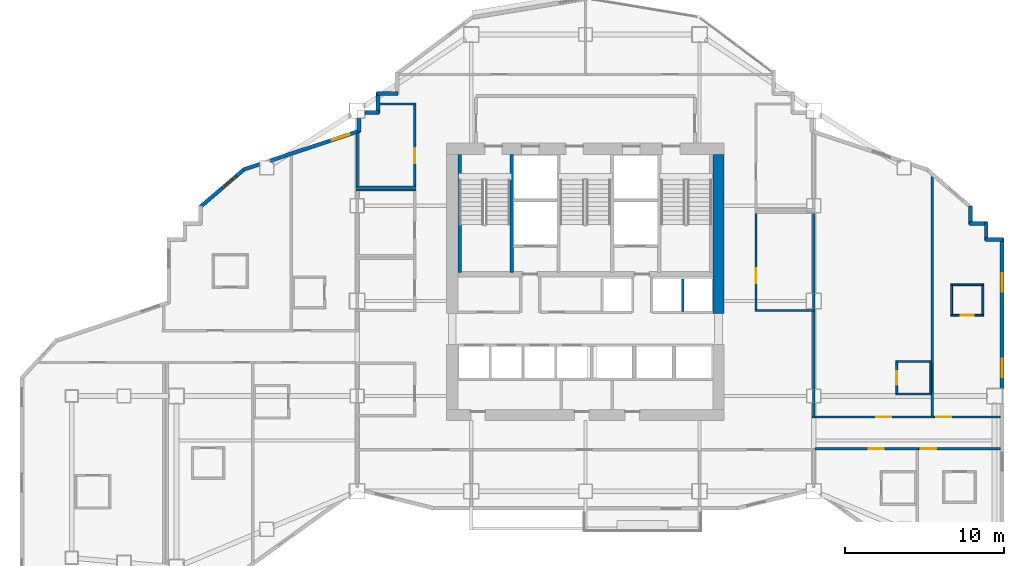
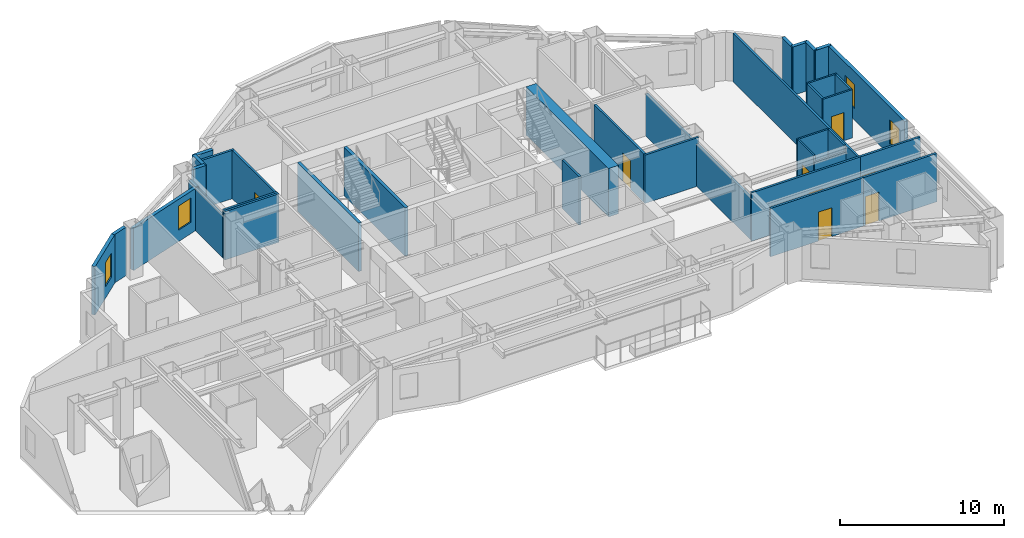
# One storey, part 8 of 13: 38 walls, 8 doors, 4 windows, 12 openings.
"""IFC4 building model written with IfcOpenShell, lengths in metres."""

from ifc_helpers import new_model, si_unit, direction, frame, frame_2d, origin, place, context, subcontext, project, spatial, rectangle, extrude, material, layer, layer_set, type_object, element, fill, save


model = new_model("IFC4")

# Units and contexts
model_context = context("Model", 3, precision=1e-05, world=origin(), true_north=direction((0.0, 1.0)))
body_context = subcontext(model_context, "Body", "Model", "MODEL_VIEW")
ifc_project = project(units=[si_unit("LENGTHUNIT", "METRE"), si_unit("AREAUNIT", "SQUARE_METRE"), si_unit("VOLUMEUNIT", "CUBIC_METRE"), si_unit("PLANEANGLEUNIT", "RADIAN"), si_unit("MASSUNIT", "GRAM", prefix="KILO")], contexts=[model_context])

# Site, building, storey
site_placement = place(None, origin())
site = spatial("IfcSite", under=ifc_project, at=site_placement, CompositionType="ELEMENT")
building_placement = place(site_placement, origin())
building = spatial("IfcBuilding", under=site, at=building_placement, Name="Haolan Belvedere Tower", CompositionType="ELEMENT")
storey_placement = place(building_placement, frame((0.0, 0.0, 106.0)))
storey = spatial("IfcBuildingStorey", under=building, at=storey_placement, Name="L26", CompositionType="ELEMENT", Elevation=106.0)

# Wall
ifc_material_1 = material(Name="Concrete C60/75", Category="concrete")
ifc_layer_1 = layer(ifc_material_1, 0.699951171875, Name="Concrete C60/75")
ifc_layer_set_1 = layer_set([ifc_layer_1], Name="Concrete C60/75")
wall_type_1 = type_object("IfcWallType", Name="WL-CORE-700", PredefinedType="SHEAR", material=ifc_layer_set_1)
wall_1_placement = place(storey_placement, frame((46.800048828125, 32.800048828125, 0.0), z_axis=(0.0, 0.0, 1.0), x_axis=(0.0, 1.0, 0.0)))
element("IfcWall", 1, at=wall_1_placement, inside=storey, type_object=wall_type_1, Name="L26 central core shear wall EN", PredefinedType="SHEAR", context=body_context, shape_type="SweptSolid", body=[
    extrude(rectangle(XDim=10.050048828125, YDim=0.699951171875, at=frame_2d((5.02490234375, 0.0))), origin(), (0.0, 0.0, 1.0), 3.60009765625),
])

# Wall, openings, windows
ifc_material_2 = material(Name="Precast concrete C40/50", Category="concrete")
ifc_layer_2 = layer(ifc_material_2, 0.239990234375, Name="Precast concrete C40/50")
ifc_layer_set_2 = layer_set([ifc_layer_2], Name="Precast concrete C40/50")
wall_type_2 = type_object("IfcWallType", Name="WL-EXT-240", PredefinedType="SOLIDWALL", material=ifc_layer_set_2)
wall_2_placement = place(storey_placement, frame((64.679931640625, 28.092041015625, 0.0), z_axis=(0.0, 0.0, 1.0), x_axis=(0.0, 1.0, 0.0)))
wall_2 = element("IfcWall", 2, at=wall_2_placement, inside=storey, type_object=wall_type_2, Name="L26 pale-metal exterior spandrel wall 14.2", PredefinedType="SOLIDWALL", context=body_context, shape_type="SweptSolid", body=[
    extrude(rectangle(XDim=9.44287109375, YDim=0.239990234375, at=frame_2d((4.721435546875, 0.0))), origin(), (0.0, 0.0, 1.0), 3.60009765625),
])
opening_1_placement = place(wall_2_placement, frame((0.699951171875, 0.0, 0.85009765625)))
opening_1 = element("IfcOpeningElement", 3, at=opening_1_placement, cuts=wall_2, Name="Opening W-02", PredefinedType="OPENING", context=body_context, shape_type="SweptSolid", body=[
    extrude(rectangle(XDim=1.14990234375, YDim=1.800048828125, at=frame_2d((0.574951171875, 0.89990234375))), frame((0.0, 0.1298828125, 0.0), z_axis=(0.0, -1.0, 0.0), x_axis=(1.0, 0.0, 0.0)), (0.0, 0.0, 1.0), 0.260009765625),
])
opening_2_placement = place(wall_2_placement, frame((6.10009765625, 0.0, 0.85009765625)))
opening_2 = element("IfcOpeningElement", 4, at=opening_2_placement, cuts=wall_2, Name="Opening W-02", PredefinedType="OPENING", context=body_context, shape_type="SweptSolid", body=[
    extrude(rectangle(XDim=1.14990234375, YDim=1.800048828125, at=frame_2d((0.574951171875, 0.89990234375))), frame((0.0, 0.1298828125, 0.0), z_axis=(0.0, -1.0, 0.0), x_axis=(1.0, 0.0, 0.0)), (0.0, 0.0, 1.0), 0.260009765625),
])
ifc_material_3 = material(Name="Anodised aluminium 6063-T6 and Low-E glass", Category="aluminium")
window_type = type_object("IfcWindowType", Name="WN-DECO-Z2", PartitioningType="SINGLE_PANEL", PredefinedType="WINDOW", material=ifc_material_3)
window_1_placement = place(opening_1_placement, origin())
window_1 = element("IfcWindow", 5, at=window_1_placement, inside=storey, type_object=window_type, Name="L26 Art Deco chevron window 1", OverallHeight=1.800048828125, OverallWidth=1.14990234375, PartitioningType="SINGLE_PANEL", PredefinedType="WINDOW", context=body_context, shape_type="SweptSolid", body=[
    extrude(rectangle(XDim=1.14990234375, YDim=1.800048828125, at=frame_2d((0.574951171875, 0.89990234375))), frame((0.0, 0.030029296875, 0.0), z_axis=(0.0, -1.0, 0.0), x_axis=(1.0, 0.0, 0.0)), (0.0, 0.0, 1.0), 0.06005859375),
])
fill(opening_1, window_1)
window_2_placement = place(opening_2_placement, origin())
window_2 = element("IfcWindow", 6, at=window_2_placement, inside=storey, type_object=window_type, Name="L26 Art Deco chevron window 2", OverallHeight=1.800048828125, OverallWidth=1.14990234375, PartitioningType="SINGLE_PANEL", PredefinedType="WINDOW", context=body_context, shape_type="SweptSolid", body=[
    extrude(rectangle(XDim=1.14990234375, YDim=1.800048828125, at=frame_2d((0.574951171875, 0.89990234375))), frame((0.0, 0.030029296875, 0.0), z_axis=(0.0, -1.0, 0.0), x_axis=(1.0, 0.0, 0.0)), (0.0, 0.0, 1.0), 0.06005859375),
])
fill(opening_2, window_2)

# Walls
wall_3_placement = place(storey_placement, frame((64.735107421875, 37.47998046875, 0.0), z_axis=(0.0, 0.0, 1.0), x_axis=(-1.0, 0.0, 0.0)))
element("IfcWall", 7, at=wall_3_placement, inside=storey, type_object=wall_type_2, Name="L26 pale-metal exterior spandrel wall 15.1", PredefinedType="SOLIDWALL", context=body_context, shape_type="SweptSolid", body=[
    extrude(rectangle(XDim=1.110107421875, YDim=0.239990234375, at=frame_2d((0.55517578125, 0.0))), origin(), (0.0, 0.0, 1.0), 3.60009765625),
])
wall_4_placement = place(storey_placement, frame((63.679931640625, 37.425048828125, 0.0), z_axis=(0.0, 0.0, 1.0), x_axis=(0.0, 1.0, 0.0)))
element("IfcWall", 8, at=wall_4_placement, inside=storey, type_object=wall_type_2, Name="L26 pale-metal exterior spandrel wall 16.1", PredefinedType="SOLIDWALL", context=body_context, shape_type="SweptSolid", body=[
    extrude(rectangle(XDim=1.10986328125, YDim=0.239990234375, at=frame_2d((0.554931640625, 0.0))), origin(), (0.0, 0.0, 1.0), 3.60009765625),
])
wall_5_placement = place(storey_placement, frame((63.735107421875, 38.47998046875, 0.0), z_axis=(0.0, 0.0, 1.0), x_axis=(-1.0, 0.0, 0.0)))
element("IfcWall", 9, at=wall_5_placement, inside=storey, type_object=wall_type_2, Name="L26 pale-metal exterior spandrel wall 17.1", PredefinedType="SOLIDWALL", context=body_context, shape_type="SweptSolid", body=[
    extrude(rectangle(XDim=1.110107421875, YDim=0.239990234375, at=frame_2d((0.55517578125, 0.0))), origin(), (0.0, 0.0, 1.0), 3.60009765625),
])
wall_6_placement = place(storey_placement, frame((62.679931640625, 38.425048828125, 0.0), z_axis=(0.0, 0.0, 1.0), x_axis=(0.0, 1.0, 0.0)))
element("IfcWall", 10, at=wall_6_placement, inside=storey, type_object=wall_type_2, Name="L26 pale-metal exterior spandrel wall 18.1", PredefinedType="SOLIDWALL", context=body_context, shape_type="SweptSolid", body=[
    extrude(rectangle(XDim=1.1748046875, YDim=0.239990234375, at=frame_2d((0.58740234375, 0.0))), origin(), (0.0, 0.0, 1.0), 3.60009765625),
])
for number, where, z_axis, x_axis, name in (
    (11, (26.574951171875, 46.679931640625, 0.0), (0.0, 0.0, 1.0), (-1.0, 0.0, 0.0), "L26 pale-metal exterior spandrel wall 31.1"),
    (12, (25.320068359375, 46.735107421875, 0.0), (0.0, 0.0, 1.0), (0.0, -1.0, 0.0), "L26 pale-metal exterior spandrel wall 32.1"),
):
    element("IfcWall", number, at=place(storey_placement, frame(where, z_axis=z_axis, x_axis=x_axis)), inside=storey, type_object=wall_type_2, Name=name, PredefinedType="SOLIDWALL", context=body_context, shape_type="SweptSolid", body=[
        extrude(rectangle(XDim=1.31005859375, YDim=0.239990234375, at=frame_2d((0.655029296875, 0.0))), origin(), (0.0, 0.0, 1.0), 3.60009765625),
    ])
wall_7_placement = place(storey_placement, frame((25.375, 45.47998046875, 0.0), z_axis=(0.0, 0.0, 1.0), x_axis=(-1.0, 0.0, 0.0)))
element("IfcWall", 13, at=wall_7_placement, inside=storey, type_object=wall_type_2, Name="L26 pale-metal exterior spandrel wall 33.1", PredefinedType="SOLIDWALL", context=body_context, shape_type="SweptSolid", body=[
    extrude(rectangle(XDim=0.883056640625, YDim=0.239990234375, at=frame_2d((0.44140625, 0.0))), origin(), (0.0, 0.0, 1.0), 3.60009765625),
])
wall_8_placement = place(storey_placement, frame((24.1201171875, 45.10791015625, 0.0), z_axis=(0.0, 0.0, 1.0), x_axis=(0.0, -1.0, 0.0)))
element("IfcWall", 14, at=wall_8_placement, inside=storey, type_object=wall_type_2, Name="L26 pale-metal exterior spandrel wall 34.1", PredefinedType="SOLIDWALL", context=body_context, shape_type="SweptSolid", body=[
    extrude(rectangle(XDim=0.849365234375, YDim=0.239990234375, at=frame_2d((0.4248046875, 0.0))), origin(), (0.0, 0.0, 1.0), 3.14501953125),
])

# Wall, opening, window
wall_9_placement = place(storey_placement, frame((24.172119140625, 44.330810546875, 0.0), z_axis=(0.0, 0.0, 1.0), x_axis=(-0.948683298051, -0.316227766017, 0.0)))
wall_9 = element("IfcWall", 15, at=wall_9_placement, inside=storey, type_object=wall_type_2, Name="L26 pale-metal exterior spandrel wall 35.1", PredefinedType="SOLIDWALL", context=body_context, shape_type="SweptSolid", body=[
    extrude(rectangle(XDim=5.973388671875, YDim=0.239990234375, at=frame_2d((2.98681640625, 0.0))), origin(), (0.0, 0.0, 1.0), 3.14501953125),
])
opening_3_placement = place(wall_9_placement, frame((0.699951171875, 0.0, 0.85009765625)))
opening_3 = element("IfcOpeningElement", 16, at=opening_3_placement, cuts=wall_9, Name="Opening W-02", PredefinedType="OPENING", context=body_context, shape_type="SweptSolid", body=[
    extrude(rectangle(XDim=1.14990234375, YDim=1.800048828125, at=frame_2d((0.574951171875, 0.89990234375))), frame((0.0, 0.1298828125, 0.0), z_axis=(0.0, -1.0, 0.0), x_axis=(1.0, 0.0, 0.0)), (0.0, 0.0, 1.0), 0.260009765625),
])
window_3_placement = place(opening_3_placement, origin())
window_3 = element("IfcWindow", 17, at=window_3_placement, inside=storey, type_object=window_type, Name="L26 Art Deco chevron window 1", OverallHeight=1.800048828125, OverallWidth=1.14990234375, PartitioningType="SINGLE_PANEL", PredefinedType="WINDOW", context=body_context, shape_type="SweptSolid", body=[
    extrude(rectangle(XDim=1.14990234375, YDim=1.800048828125, at=frame_2d((0.574951171875, 0.89990234375))), frame((0.0, 0.030029296875, 0.0), z_axis=(0.0, -1.0, 0.0), x_axis=(1.0, 0.0, 0.0)), (0.0, 0.0, 1.0), 0.06005859375),
])
fill(opening_3, window_3)

# Wall
wall_10_placement = place(storey_placement, frame((17.85791015625, 42.226318359375, 0.0), z_axis=(0.0, 0.0, 1.0), x_axis=(-0.948639166064, -0.316360131194, 0.0)))
element("IfcWall", 18, at=wall_10_placement, inside=storey, type_object=wall_type_2, Name="L26 pale-metal exterior spandrel wall 35.2", PredefinedType="SOLIDWALL", context=body_context, shape_type="SweptSolid", body=[
    extrude(rectangle(XDim=1.106689453125, YDim=0.239990234375, at=frame_2d((0.55322265625, 0.0))), origin(), (0.0, 0.0, 1.0), 3.60009765625),
])

# Wall, opening, window
wall_11_placement = place(storey_placement, frame((16.902099609375, 41.929443359375, 0.0), z_axis=(0.0, 0.0, 1.0), x_axis=(-0.759275136126, -0.650769750112, 0.0)))
wall_11 = element("IfcWall", 19, at=wall_11_placement, inside=storey, type_object=wall_type_2, Name="L26 pale-metal exterior spandrel wall 36.1", PredefinedType="SOLIDWALL", context=body_context, shape_type="SweptSolid", body=[
    extrude(rectangle(XDim=3.71923828125, YDim=0.239990234375, at=frame_2d((1.859619140625, 0.0))), origin(), (0.0, 0.0, 1.0), 3.60009765625),
])
opening_4_placement = place(wall_11_placement, frame((0.699951171875, 0.0, 0.85009765625)))
opening_4 = element("IfcOpeningElement", 20, at=opening_4_placement, cuts=wall_11, Name="Opening W-02", PredefinedType="OPENING", context=body_context, shape_type="SweptSolid", body=[
    extrude(rectangle(XDim=1.14990234375, YDim=1.800048828125, at=frame_2d((0.574951171875, 0.89990234375))), frame((0.0, 0.1298828125, 0.0), z_axis=(0.0, -1.0, 0.0), x_axis=(1.0, 0.0, 0.0)), (0.0, 0.0, 1.0), 0.260009765625),
])
window_4_placement = place(opening_4_placement, origin())
window_4 = element("IfcWindow", 21, at=window_4_placement, inside=storey, type_object=window_type, Name="L26 Art Deco chevron window 1", OverallHeight=1.800048828125, OverallWidth=1.14990234375, PartitioningType="SINGLE_PANEL", PredefinedType="WINDOW", context=body_context, shape_type="SweptSolid", body=[
    extrude(rectangle(XDim=1.14990234375, YDim=1.800048828125, at=frame_2d((0.574951171875, 0.89990234375))), frame((0.0, 0.030029296875, 0.0), z_axis=(0.0, -1.0, 0.0), x_axis=(1.0, 0.0, 0.0)), (0.0, 0.0, 1.0), 0.06005859375),
])
fill(opening_4, window_4)

# Walls
ifc_material_4 = material(Name="Double gypsum acoustic stud partition", Category="masonry")
ifc_layer_3 = layer(ifc_material_4, 0.14990234375, Name="Double gypsum acoustic stud partition")
ifc_layer_set_3 = layer_set([ifc_layer_3], Name="Double gypsum acoustic stud partition")
wall_type_3 = type_object("IfcWallType", Name="WL-PART-150", PredefinedType="PARTITIONING", material=ifc_layer_set_3)
wall_12_placement = place(storey_placement, frame((23.919921875, 40.60009765625, 0.0), z_axis=(0.0, 0.0, 1.0), x_axis=(1.0, 0.0, 0.0)))
element("IfcWall", 22, at=wall_12_placement, inside=storey, type_object=wall_type_3, Name="L26 interior partition IW-L26-PNT-N", PredefinedType="PARTITIONING", context=body_context, shape_type="SweptSolid", body=[
    extrude(rectangle(XDim=3.800048828125, YDim=0.14990234375, at=frame_2d((1.89990234375, 0.0))), origin(), (0.0, 0.0, 1.0), 3.60009765625),
])
wall_13_placement = place(storey_placement, frame((25.425048828125, 46.02001953125, 0.0), z_axis=(0.0, 0.0, 1.0), x_axis=(1.0, 0.0, 0.0)))
element("IfcWall", 23, at=wall_13_placement, inside=storey, type_object=wall_type_3, Name="L26 interior partition IW-L26-STY-N", PredefinedType="PARTITIONING", context=body_context, shape_type="SweptSolid", body=[
    extrude(rectangle(XDim=2.294921875, YDim=0.14990234375, at=frame_2d((1.1474609375, 0.0))), origin(), (0.0, 0.0, 1.0), 3.60009765625),
])
wall_14_placement = place(storey_placement, frame((23.919921875, 40.760009765625, 0.0), z_axis=(0.0, 0.0, 1.0), x_axis=(1.0, 0.0, 0.0)))
element("IfcWall", 24, at=wall_14_placement, inside=storey, type_object=wall_type_3, Name="L26 interior partition IW-L26-STY-S", PredefinedType="PARTITIONING", context=body_context, shape_type="SweptSolid", body=[
    extrude(rectangle(XDim=3.800048828125, YDim=0.14990234375, at=frame_2d((1.89990234375, 0.0))), origin(), (0.0, 0.0, 1.0), 3.60009765625),
])
wall_15_placement = place(storey_placement, frame((24.0, 40.820068359375, 0.0), z_axis=(0.0, 0.0, 1.0), x_axis=(0.0, 1.0, 0.0)))
element("IfcWall", 25, at=wall_15_placement, inside=storey, type_object=wall_type_3, Name="L26 interior partition IW-L26-STY-W", PredefinedType="PARTITIONING", context=body_context, shape_type="SweptSolid", body=[
    extrude(rectangle(XDim=3.3427734375, YDim=0.14990234375, at=frame_2d((1.67138671875, 0.0))), origin(), (0.0, 0.0, 1.0), 3.14501953125),
])

# Wall, opening, door
wall_16_placement = place(storey_placement, frame((27.639892578125, 40.820068359375, 0.0), z_axis=(0.0, 0.0, 1.0), x_axis=(0.0, 1.0, 0.0)))
wall_16 = element("IfcWall", 26, at=wall_16_placement, inside=storey, type_object=wall_type_3, Name="L26 interior partition IW-L26-STY-E", PredefinedType="PARTITIONING", context=body_context, shape_type="SweptSolid", body=[
    extrude(rectangle(XDim=5.139892578125, YDim=0.14990234375, at=frame_2d((2.56982421875, 0.0))), origin(), (0.0, 0.0, 1.0), 3.60009765625),
])
opening_5_placement = place(wall_16_placement, frame((2.409912109375, 0.0, 0.0), z_axis=(0.0, 0.0, 1.0), x_axis=(-1.0, 0.0, 0.0)))
opening_5 = element("IfcOpeningElement", 27, at=opening_5_placement, cuts=wall_16, Name="Opening ID-03", PredefinedType="OPENING", context=body_context, shape_type="SweptSolid", body=[
    extrude(rectangle(XDim=0.949951171875, YDim=2.1201171875, at=frame_2d((0.47509765625, 1.06005859375))), frame((0.0, 0.0849609375, 0.0), z_axis=(0.0, -1.0, 0.0), x_axis=(1.0, 0.0, 0.0)), (0.0, 0.0, 1.0), 0.169921875),
])
ifc_material_5 = material(Name="Painted solid-core timber", Category="wood")
door_type_1 = type_object("IfcDoorType", Name="DR-INT-950", OperationType="NOTDEFINED", PredefinedType="DOOR", material=ifc_material_5)
door_1_placement = place(opening_5_placement, origin())
door_1 = element("IfcDoor", 28, at=door_1_placement, inside=storey, type_object=door_type_1, Name="L26 door ID-L26-STY", OperationType="SINGLE_SWING_LEFT", OverallHeight=2.1201171875, OverallWidth=0.949951171875, PredefinedType="DOOR", context=body_context, shape_type="SweptSolid", body=[
    extrude(rectangle(XDim=0.949951171875, YDim=2.1201171875, at=frame_2d((0.47509765625, 1.06005859375))), frame((0.0, 0.02490234375, 0.0), z_axis=(0.0, -1.0, 0.0), x_axis=(1.0, 0.0, 0.0)), (0.0, 0.0, 1.0), 0.050048828125),
])
fill(opening_5, door_1)

# Wall
wall_17_placement = place(storey_placement, frame((49.080078125, 33.0, 0.0), z_axis=(0.0, 0.0, 1.0), x_axis=(1.0, 0.0, 0.0)))
element("IfcWall", 29, at=wall_17_placement, inside=storey, type_object=wall_type_3, Name="L26 interior partition IW-L26-HSK-S", PredefinedType="PARTITIONING", context=body_context, shape_type="SweptSolid", body=[
    extrude(rectangle(XDim=3.7998046875, YDim=0.14990234375, at=frame_2d((1.89990234375, 0.0))), origin(), (0.0, 0.0, 1.0), 3.60009765625),
])

# Wall, opening, door
wall_18_placement = place(storey_placement, frame((49.159912109375, 33.06005859375, 0.0), z_axis=(0.0, 0.0, 1.0), x_axis=(0.0, 1.0, 0.0)))
wall_18 = element("IfcWall", 30, at=wall_18_placement, inside=storey, type_object=wall_type_3, Name="L26 interior partition IW-L26-HSK-W", PredefinedType="PARTITIONING", context=body_context, shape_type="SweptSolid", body=[
    extrude(rectangle(XDim=6.079833984375, YDim=0.14990234375, at=frame_2d((3.0400390625, 0.0))), origin(), (0.0, 0.0, 1.0), 3.60009765625),
])
opening_6_placement = place(wall_18_placement, frame((1.659912109375, 0.0, 0.0)))
opening_6 = element("IfcOpeningElement", 31, at=opening_6_placement, cuts=wall_18, Name="Opening ID-03", PredefinedType="OPENING", context=body_context, shape_type="SweptSolid", body=[
    extrude(rectangle(XDim=0.949951171875, YDim=2.1201171875, at=frame_2d((0.47509765625, 1.06005859375))), frame((0.0, 0.0849609375, 0.0), z_axis=(0.0, -1.0, 0.0), x_axis=(1.0, 0.0, 0.0)), (0.0, 0.0, 1.0), 0.169921875),
])
door_2_placement = place(opening_6_placement, origin())
door_2 = element("IfcDoor", 32, at=door_2_placement, inside=storey, type_object=door_type_1, Name="L26 door ID-L26-HSK", OperationType="SINGLE_SWING_RIGHT", OverallHeight=2.1201171875, OverallWidth=0.949951171875, PredefinedType="DOOR", context=body_context, shape_type="SweptSolid", body=[
    extrude(rectangle(XDim=0.949951171875, YDim=2.1201171875, at=frame_2d((0.47509765625, 1.06005859375))), frame((0.0, 0.02490234375, 0.0), z_axis=(0.0, -1.0, 0.0), x_axis=(1.0, 0.0, 0.0)), (0.0, 0.0, 1.0), 0.050048828125),
])
fill(opening_6, door_2)

# Wall
wall_19_placement = place(storey_placement, frame((52.800048828125, 33.06005859375, 0.0), z_axis=(0.0, 0.0, 1.0), x_axis=(0.0, 1.0, 0.0)))
element("IfcWall", 33, at=wall_19_placement, inside=storey, type_object=wall_type_3, Name="L26 interior partition IW-L26-HSK-E", PredefinedType="PARTITIONING", context=body_context, shape_type="SweptSolid", body=[
    extrude(rectangle(XDim=6.079833984375, YDim=0.14990234375, at=frame_2d((3.0400390625, 0.0))), origin(), (0.0, 0.0, 1.0), 3.14501953125),
])

# Wall, opening, door
wall_20_placement = place(storey_placement, frame((52.699951171875, 26.280029296875, 0.0), z_axis=(0.0, 0.0, 1.0), x_axis=(1.0, 0.0, 0.0)))
wall_20 = element("IfcWall", 34, at=wall_20_placement, inside=storey, type_object=wall_type_3, Name="L26 interior partition IW-L26-T4N1-S", PredefinedType="PARTITIONING", context=body_context, shape_type="SweptSolid", body=[
    extrude(rectangle(XDim=7.679931640625, YDim=0.14990234375, at=frame_2d((3.83984375, 0.0))), origin(), (0.0, 0.0, 1.0), 3.60009765625),
])
opening_7_placement = place(wall_20_placement, frame((4.047607421875, 0.0, 0.0)))
opening_7 = element("IfcOpeningElement", 35, at=opening_7_placement, cuts=wall_20, Name="Opening ID-01", PredefinedType="OPENING", context=body_context, shape_type="SweptSolid", body=[
    extrude(rectangle(XDim=0.949951171875, YDim=2.179931640625, at=frame_2d((0.47509765625, 1.08984375))), frame((0.0, 0.0849609375, 0.0), z_axis=(0.0, -1.0, 0.0), x_axis=(1.0, 0.0, 0.0)), (0.0, 0.0, 1.0), 0.169921875),
])
ifc_material_6 = material(Name="Acoustic walnut veneer fire-rated timber", Category="wood")
door_type_2 = type_object("IfcDoorType", Name="DR-SUITE-950", OperationType="NOTDEFINED", PredefinedType="DOOR", material=ifc_material_6)
door_3_placement = place(opening_7_placement, origin())
door_3 = element("IfcDoor", 36, at=door_3_placement, inside=storey, type_object=door_type_2, Name="L26 door ID-L26-T4N1-ENT", OperationType="SINGLE_SWING_LEFT", OverallHeight=2.179931640625, OverallWidth=0.949951171875, PredefinedType="DOOR", context=body_context, shape_type="SweptSolid", body=[
    extrude(rectangle(XDim=0.949951171875, YDim=2.179931640625, at=frame_2d((0.47509765625, 1.08984375))), frame((0.0, 0.02490234375, 0.0), z_axis=(0.0, -1.0, 0.0), x_axis=(1.0, 0.0, 0.0)), (0.0, 0.0, 1.0), 0.050048828125),
])
fill(opening_7, door_3)

# Walls
wall_21_placement = place(storey_placement, frame((52.800048828125, 26.340087890625, 0.0), z_axis=(0.0, 0.0, 1.0), x_axis=(0.0, 1.0, 0.0)))
element("IfcWall", 37, at=wall_21_placement, inside=storey, type_object=wall_type_3, Name="L26 interior partition IW-L26-T4N1-W", PredefinedType="PARTITIONING", context=body_context, shape_type="SweptSolid", body=[
    extrude(rectangle(XDim=6.599853515625, YDim=0.14990234375, at=frame_2d((3.2998046875, 0.0))), origin(), (0.0, 0.0, 1.0), 3.14501953125),
])
wall_22_placement = place(storey_placement, frame((60.280029296875, 26.340087890625, 0.0), z_axis=(0.0, 0.0, 1.0), x_axis=(0.0, 1.0, 0.0)))
element("IfcWall", 38, at=wall_22_placement, inside=storey, type_object=wall_type_3, Name="L26 interior partition IW-L26-T4N1-E", PredefinedType="PARTITIONING", context=body_context, shape_type="SweptSolid", body=[
    extrude(rectangle(XDim=15.12353515625, YDim=0.14990234375, at=frame_2d((7.561767578125, 0.0))), origin(), (0.0, 0.0, 1.0), 3.60009765625),
])

# Wall, opening, door
wall_23_placement = place(storey_placement, frame((60.382080078125, 26.280029296875, 0.0), z_axis=(0.0, 0.0, 1.0), x_axis=(1.0, 0.0, 0.0)))
wall_23 = element("IfcWall", 39, at=wall_23_placement, inside=storey, type_object=wall_type_3, Name="L26 interior partition IW-L26-T4N2-S", PredefinedType="PARTITIONING", context=body_context, shape_type="SweptSolid", body=[
    extrude(rectangle(XDim=4.19287109375, YDim=0.14990234375, at=frame_2d((2.096435546875, 0.0))), origin(), (0.0, 0.0, 1.0), 3.60009765625),
])
opening_8_placement = place(wall_23_placement, frame((0.139892578125, 0.0, 0.0)))
opening_8 = element("IfcOpeningElement", 40, at=opening_8_placement, cuts=wall_23, Name="Opening ID-02", PredefinedType="OPENING", context=body_context, shape_type="SweptSolid", body=[
    extrude(rectangle(XDim=0.949951171875, YDim=2.14990234375, at=frame_2d((0.47509765625, 1.074951171875))), frame((0.0, 0.0849609375, 0.0), z_axis=(0.0, -1.0, 0.0), x_axis=(1.0, 0.0, 0.0)), (0.0, 0.0, 1.0), 0.169921875),
])
ifc_material_7 = material(Name="Acoustic oak veneer fire-rated timber", Category="wood")
door_type_3 = type_object("IfcDoorType", Name="DR-GUEST-950", OperationType="NOTDEFINED", PredefinedType="DOOR", material=ifc_material_7)
door_4_placement = place(opening_8_placement, origin())
door_4 = element("IfcDoor", 41, at=door_4_placement, inside=storey, type_object=door_type_3, Name="L26 door ID-L26-T4N2-ENT", OperationType="SINGLE_SWING_RIGHT", OverallHeight=2.14990234375, OverallWidth=0.949951171875, PredefinedType="DOOR", context=body_context, shape_type="SweptSolid", body=[
    extrude(rectangle(XDim=0.949951171875, YDim=2.14990234375, at=frame_2d((0.47509765625, 1.074951171875))), frame((0.0, 0.02490234375, 0.0), z_axis=(0.0, -1.0, 0.0), x_axis=(1.0, 0.0, 0.0)), (0.0, 0.0, 1.0), 0.050048828125),
])
fill(opening_8, door_4)

wall_24_placement = place(storey_placement, frame((52.882080078125, 24.27001953125, 0.0), z_axis=(0.0, 0.0, 1.0), x_axis=(1.0, 0.0, 0.0)))
wall_24 = element("IfcWall", 42, at=wall_24_placement, inside=storey, type_object=wall_type_3, Name="L26 interior partition IW-L26-T4S1-N", PredefinedType="PARTITIONING", context=body_context, shape_type="SweptSolid", body=[
    extrude(rectangle(XDim=6.537841796875, YDim=0.14990234375, at=frame_2d((3.26904296875, 0.0))), origin(), (0.0, 0.0, 1.0), 3.60009765625),
])
opening_9_placement = place(wall_24_placement, frame((4.3291015625, 0.0, 0.0), z_axis=(0.0, 0.0, 1.0), x_axis=(-1.0, 0.0, 0.0)))
opening_9 = element("IfcOpeningElement", 43, at=opening_9_placement, cuts=wall_24, Name="Opening ID-02", PredefinedType="OPENING", context=body_context, shape_type="SweptSolid", body=[
    extrude(rectangle(XDim=0.949951171875, YDim=2.14990234375, at=frame_2d((0.47509765625, 1.074951171875))), frame((0.0, 0.0849609375, 0.0), z_axis=(0.0, -1.0, 0.0), x_axis=(1.0, 0.0, 0.0)), (0.0, 0.0, 1.0), 0.169921875),
])
door_5_placement = place(opening_9_placement, origin())
door_5 = element("IfcDoor", 44, at=door_5_placement, inside=storey, type_object=door_type_3, Name="L26 door ID-L26-T4S1-ENT", OperationType="SINGLE_SWING_LEFT", OverallHeight=2.14990234375, OverallWidth=0.949951171875, PredefinedType="DOOR", context=body_context, shape_type="SweptSolid", body=[
    extrude(rectangle(XDim=0.949951171875, YDim=2.14990234375, at=frame_2d((0.47509765625, 1.074951171875))), frame((0.0, 0.02490234375, 0.0), z_axis=(0.0, -1.0, 0.0), x_axis=(1.0, 0.0, 0.0)), (0.0, 0.0, 1.0), 0.050048828125),
])
fill(opening_9, door_5)

wall_25_placement = place(storey_placement, frame((59.422119140625, 24.27001953125, 0.0), z_axis=(0.0, 0.0, 1.0), x_axis=(1.0, 0.0, 0.0)))
wall_25 = element("IfcWall", 45, at=wall_25_placement, inside=storey, type_object=wall_type_3, Name="L26 interior partition IW-L26-T4S2-N", PredefinedType="PARTITIONING", context=body_context, shape_type="SweptSolid", body=[
    extrude(rectangle(XDim=5.15283203125, YDim=0.14990234375, at=frame_2d((2.576416015625, 0.0))), origin(), (0.0, 0.0, 1.0), 3.60009765625),
])
opening_10_placement = place(wall_25_placement, frame((1.08984375, 0.0, 0.0), z_axis=(0.0, 0.0, 1.0), x_axis=(-1.0, 0.0, 0.0)))
opening_10 = element("IfcOpeningElement", 46, at=opening_10_placement, cuts=wall_25, Name="Opening ID-02", PredefinedType="OPENING", context=body_context, shape_type="SweptSolid", body=[
    extrude(rectangle(XDim=0.949951171875, YDim=2.14990234375, at=frame_2d((0.47509765625, 1.074951171875))), frame((0.0, 0.0849609375, 0.0), z_axis=(0.0, -1.0, 0.0), x_axis=(1.0, 0.0, 0.0)), (0.0, 0.0, 1.0), 0.169921875),
])
door_6_placement = place(opening_10_placement, origin())
door_6 = element("IfcDoor", 47, at=door_6_placement, inside=storey, type_object=door_type_3, Name="L26 door ID-L26-T4S2-ENT", OperationType="SINGLE_SWING_RIGHT", OverallHeight=2.14990234375, OverallWidth=0.949951171875, PredefinedType="DOOR", context=body_context, shape_type="SweptSolid", body=[
    extrude(rectangle(XDim=0.949951171875, YDim=2.14990234375, at=frame_2d((0.47509765625, 1.074951171875))), frame((0.0, 0.02490234375, 0.0), z_axis=(0.0, -1.0, 0.0), x_axis=(1.0, 0.0, 0.0)), (0.0, 0.0, 1.0), 0.050048828125),
])
fill(opening_10, door_6)

# Walls
ifc_material_8 = material(Name="Gypsum fire shaftwall assembly", Category="masonry")
ifc_layer_4 = layer(ifc_material_8, 0.1650390625, Name="Gypsum fire shaftwall assembly")
ifc_layer_set_4 = layer_set([ifc_layer_4], Name="Gypsum fire shaftwall assembly")
wall_type_4 = type_object("IfcWallType", Name="WL-SHAFT-160", PredefinedType="SOLIDWALL", material=ifc_layer_set_4)
wall_26_placement = place(storey_placement, frame((44.530029296875, 32.949951171875, 0.0), z_axis=(0.0, 0.0, 1.0), x_axis=(0.0, 1.0, 0.0)))
element("IfcWall", 48, at=wall_26_placement, inside=storey, type_object=wall_type_4, Name="L26 interior partition IW-L26-DIV-PH2", PredefinedType="SOLIDWALL", context=body_context, shape_type="SweptSolid", body=[
    extrude(rectangle(XDim=2.050048828125, YDim=0.14990234375, at=frame_2d((1.02490234375, 0.0))), origin(), (0.0, 0.0, 1.0), 3.60009765625),
])
ifc_material_9 = material(Name="Concrete C50/60", Category="concrete")
ifc_layer_5 = layer(ifc_material_9, 0.219970703125, Name="Concrete C50/60")
ifc_layer_set_5 = layer_set([ifc_layer_5], Name="Concrete C50/60")
wall_type_5 = type_object("IfcWallType", Name="WL-STAIR-220", PredefinedType="SHEAR", material=ifc_layer_set_5)
for number, where, z_axis, x_axis, name in (
    (49, (30.4619140625, 35.389892578125, 0.0), (0.0, 0.0, 1.0), (0.0, 1.0, 0.0), "L26 structural stair core wall ST1W"),
    (50, (33.739990234375, 35.389892578125, 0.0), (0.0, 0.0, 1.0), (0.0, 1.0, 0.0), "L26 structural stair core wall ST1E"),
):
    element("IfcWall", number, at=place(storey_placement, frame(where, z_axis=z_axis, x_axis=x_axis)), inside=storey, type_object=wall_type_5, Name=name, PredefinedType="SHEAR", context=body_context, shape_type="SweptSolid", body=[
        extrude(rectangle(XDim=7.460205078125, YDim=0.219970703125, at=frame_2d((3.72998046875, 0.0))), origin(), (0.0, 0.0, 1.0), 3.60009765625),
    ])
ifc_material_10 = material(Name="Moisture-resistant gypsum tile partition", Category="masonry")
ifc_layer_6 = layer(ifc_material_10, 0.1201171875, Name="Moisture-resistant gypsum tile partition")
ifc_layer_set_6 = layer_set([ifc_layer_6], Name="Moisture-resistant gypsum tile partition")
wall_type_6 = type_object("IfcWallType", Name="WL-WET-120", PredefinedType="PARTITIONING", material=ifc_layer_set_6)
wall_27_placement = place(storey_placement, frame((57.969970703125, 29.780029296875, 0.0), z_axis=(0.0, 0.0, 1.0), x_axis=(1.0, 0.0, 0.0)))
element("IfcWall", 51, at=wall_27_placement, inside=storey, type_object=wall_type_6, Name="L26 interior partition IW-L26-T4N1-BN", PredefinedType="PARTITIONING", context=body_context, shape_type="SweptSolid", body=[
    extrude(rectangle(XDim=2.25, YDim=0.1201171875, at=frame_2d((1.125, 0.0))), origin(), (0.0, 0.0, 1.0), 3.60009765625),
])
wall_28_placement = place(storey_placement, frame((57.969970703125, 27.72998046875, 0.0), z_axis=(0.0, 0.0, 1.0), x_axis=(1.0, 0.0, 0.0)))
element("IfcWall", 52, at=wall_28_placement, inside=storey, type_object=wall_type_6, Name="L26 interior partition IW-L26-T4N1-BS", PredefinedType="PARTITIONING", context=body_context, shape_type="SweptSolid", body=[
    extrude(rectangle(XDim=2.25, YDim=0.1201171875, at=frame_2d((1.125, 0.0))), origin(), (0.0, 0.0, 1.0), 3.14501953125),
])

# Wall, opening, door
wall_29_placement = place(storey_placement, frame((58.030029296875, 27.77490234375, 0.0), z_axis=(0.0, 0.0, 1.0), x_axis=(0.0, 1.0, 0.0)))
wall_29 = element("IfcWall", 53, at=wall_29_placement, inside=storey, type_object=wall_type_6, Name="L26 interior partition IW-L26-T4N1-BW", PredefinedType="PARTITIONING", context=body_context, shape_type="SweptSolid", body=[
    extrude(rectangle(XDim=1.960205078125, YDim=0.1201171875, at=frame_2d((0.97998046875, 0.0))), origin(), (0.0, 0.0, 1.0), 3.60009765625),
])
opening_11_placement = place(wall_29_placement, frame((1.405029296875, 0.0, 0.0), z_axis=(0.0, 0.0, 1.0), x_axis=(-1.0, 0.0, 0.0)))
opening_11 = element("IfcOpeningElement", 54, at=opening_11_placement, cuts=wall_29, Name="Opening ID-05", PredefinedType="OPENING", context=body_context, shape_type="SweptSolid", body=[
    extrude(rectangle(XDim=0.85009765625, YDim=2.10009765625, at=frame_2d((0.425048828125, 1.050048828125))), frame((0.0, 0.070068359375, 0.0), z_axis=(0.0, -1.0, 0.0), x_axis=(1.0, 0.0, 0.0)), (0.0, 0.0, 1.0), 0.14013671875),
])
ifc_material_11 = material(Name="Moisture-resistant lacquered timber", Category="wood")
door_type_4 = type_object("IfcDoorType", Name="DR-BATH-850", OperationType="NOTDEFINED", PredefinedType="DOOR", material=ifc_material_11)
door_7_placement = place(opening_11_placement, origin())
door_7 = element("IfcDoor", 55, at=door_7_placement, inside=storey, type_object=door_type_4, Name="L26 door ID-L26-T4N1-BATH", OperationType="SINGLE_SWING_RIGHT", OverallHeight=2.10009765625, OverallWidth=0.85009765625, PredefinedType="DOOR", context=body_context, shape_type="SweptSolid", body=[
    extrude(rectangle(XDim=0.85009765625, YDim=2.10009765625, at=frame_2d((0.425048828125, 1.050048828125))), frame((0.0, 0.02490234375, 0.0), z_axis=(0.0, -1.0, 0.0), x_axis=(1.0, 0.0, 0.0)), (0.0, 0.0, 1.0), 0.050048828125),
])
fill(opening_11, door_7)

# Walls
wall_30_placement = place(storey_placement, frame((60.179931640625, 27.77490234375, 0.0), z_axis=(0.0, 0.0, 1.0), x_axis=(0.0, 1.0, 0.0)))
element("IfcWall", 56, at=wall_30_placement, inside=storey, type_object=wall_type_6, Name="L26 interior partition IW-L26-T4N1-BE", PredefinedType="PARTITIONING", context=body_context, shape_type="SweptSolid", body=[
    extrude(rectangle(XDim=1.960205078125, YDim=0.1201171875, at=frame_2d((0.97998046875, 0.0))), origin(), (0.0, 0.0, 1.0), 3.60009765625),
])
wall_31_placement = place(storey_placement, frame((61.431884765625, 34.6201171875, 0.0), z_axis=(0.0, 0.0, 1.0), x_axis=(1.0, 0.0, 0.0)))
element("IfcWall", 57, at=wall_31_placement, inside=storey, type_object=wall_type_6, Name="L26 interior partition IW-L26-T4N2-BN", PredefinedType="PARTITIONING", context=body_context, shape_type="SweptSolid", body=[
    extrude(rectangle(XDim=2.10009765625, YDim=0.1201171875, at=frame_2d((1.050048828125, 0.0))), origin(), (0.0, 0.0, 1.0), 3.60009765625),
])

# Wall, opening, door
wall_32_placement = place(storey_placement, frame((61.431884765625, 32.699951171875, 0.0), z_axis=(0.0, 0.0, 1.0), x_axis=(1.0, 0.0, 0.0)))
wall_32 = element("IfcWall", 58, at=wall_32_placement, inside=storey, type_object=wall_type_6, Name="L26 interior partition IW-L26-T4N2-BS", PredefinedType="PARTITIONING", context=body_context, shape_type="SweptSolid", body=[
    extrude(rectangle(XDim=2.10009765625, YDim=0.1201171875, at=frame_2d((1.050048828125, 0.0))), origin(), (0.0, 0.0, 1.0), 3.60009765625),
])
opening_12_placement = place(wall_32_placement, frame((0.625, 0.0, 0.0)))
opening_12 = element("IfcOpeningElement", 59, at=opening_12_placement, cuts=wall_32, Name="Opening ID-05", PredefinedType="OPENING", context=body_context, shape_type="SweptSolid", body=[
    extrude(rectangle(XDim=0.85009765625, YDim=2.10009765625, at=frame_2d((0.425048828125, 1.050048828125))), frame((0.0, 0.070068359375, 0.0), z_axis=(0.0, -1.0, 0.0), x_axis=(1.0, 0.0, 0.0)), (0.0, 0.0, 1.0), 0.14013671875),
])
door_8_placement = place(opening_12_placement, origin())
door_8 = element("IfcDoor", 60, at=door_8_placement, inside=storey, type_object=door_type_4, Name="L26 door ID-L26-T4N2-BATH", OperationType="SINGLE_SWING_LEFT", OverallHeight=2.10009765625, OverallWidth=0.85009765625, PredefinedType="DOOR", context=body_context, shape_type="SweptSolid", body=[
    extrude(rectangle(XDim=0.85009765625, YDim=2.10009765625, at=frame_2d((0.425048828125, 1.050048828125))), frame((0.0, 0.02490234375, 0.0), z_axis=(0.0, -1.0, 0.0), x_axis=(1.0, 0.0, 0.0)), (0.0, 0.0, 1.0), 0.050048828125),
])
fill(opening_12, door_8)

# Walls
for number, where, z_axis, x_axis, name in (
    (61, (61.491943359375, 32.7451171875, 0.0), (0.0, 0.0, 1.0), (0.0, 1.0, 0.0), "L26 interior partition IW-L26-T4N2-BW"),
    (62, (63.471923828125, 32.7451171875, 0.0), (0.0, 0.0, 1.0), (0.0, 1.0, 0.0), "L26 interior partition IW-L26-T4N2-BE"),
):
    element("IfcWall", number, at=place(storey_placement, frame(where, z_axis=z_axis, x_axis=x_axis)), inside=storey, type_object=wall_type_6, Name=name, PredefinedType="PARTITIONING", context=body_context, shape_type="SweptSolid", body=[
        extrude(rectangle(XDim=1.829833984375, YDim=0.1201171875, at=frame_2d((0.9150390625, 0.0))), origin(), (0.0, 0.0, 1.0), 3.60009765625),
    ])

save(model, "model.ifc")
